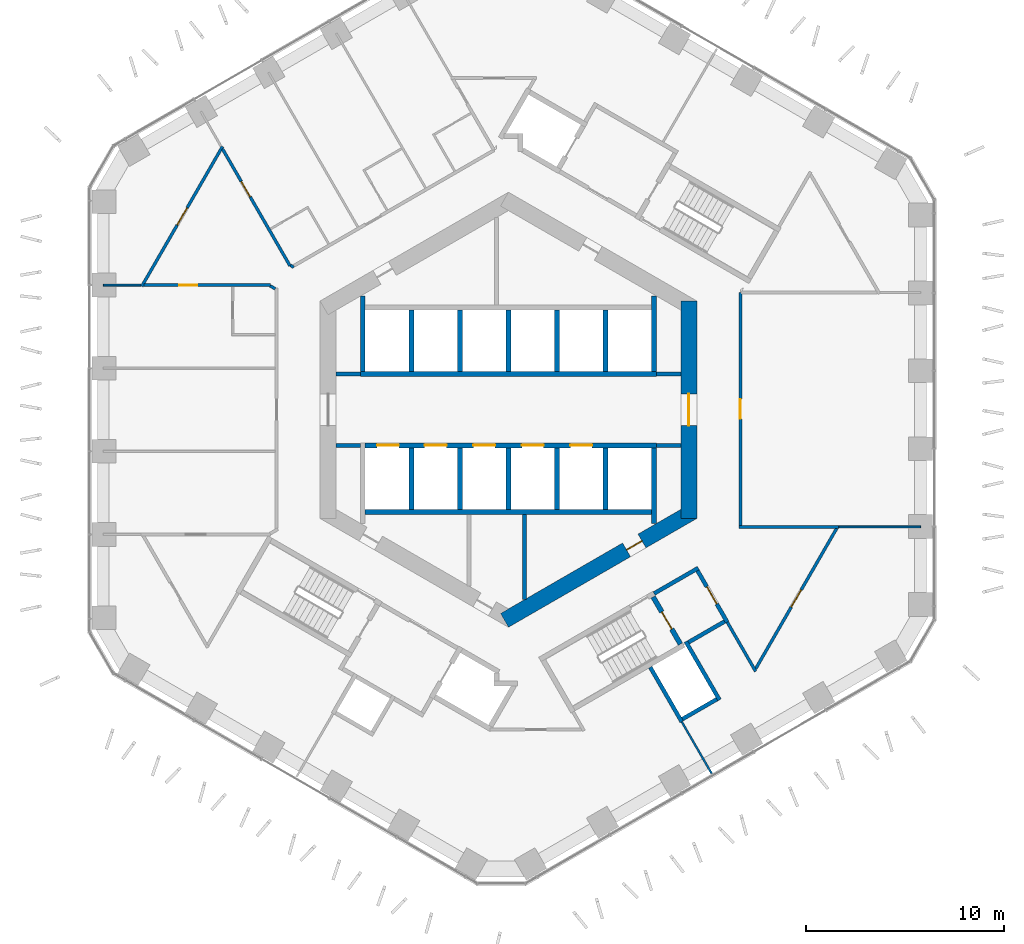
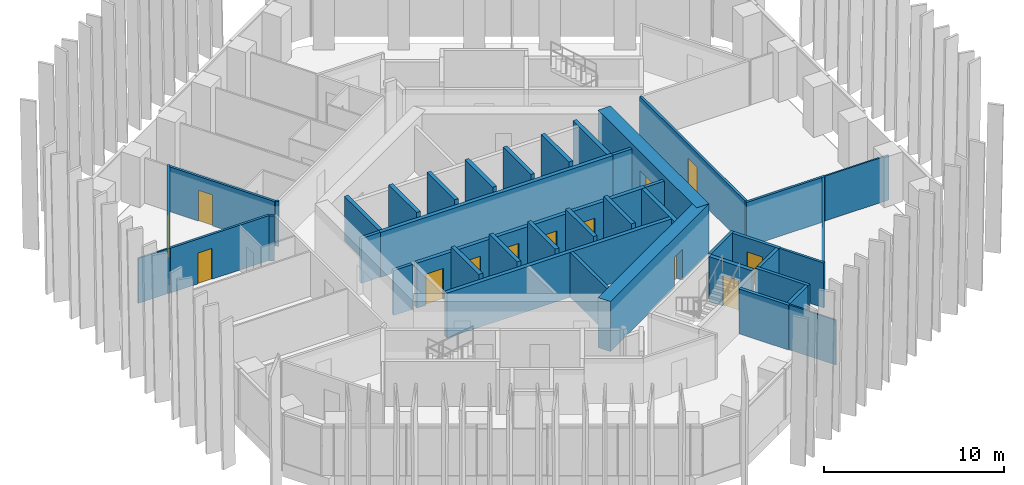
# One storey, part 14 of 19: 42 walls, 14 doors, 14 openings.
"""IFC4 building model written with IfcOpenShell, lengths in metres."""

from ifc_helpers import new_model, si_unit, direction, frame, frame_2d, origin, place, context, subcontext, project, spatial, rectangle, extrude, material, layer, layer_set, type_object, element, fill, save


model = new_model("IFC4")

# Units and contexts
model_context = context("Model", 3, precision=1e-05, world=origin(), true_north=direction((0.0, 1.0)))
body_context = subcontext(model_context, "Body", "Model", "MODEL_VIEW")
ifc_project = project(units=[si_unit("LENGTHUNIT", "METRE"), si_unit("AREAUNIT", "SQUARE_METRE"), si_unit("VOLUMEUNIT", "CUBIC_METRE"), si_unit("PLANEANGLEUNIT", "RADIAN"), si_unit("MASSUNIT", "GRAM", prefix="KILO")], contexts=[model_context])

# Site, building, storey
site_placement = place(None, origin())
site = spatial("IfcSite", under=ifc_project, at=site_placement, CompositionType="ELEMENT")
building_placement = place(site_placement, origin())
building = spatial("IfcBuilding", under=site, at=building_placement, Name="Ayvan Gate Tower", CompositionType="ELEMENT")
storey_placement = place(building_placement, frame((0.0, 0.0, 45.89990234375)))
storey = spatial("IfcBuildingStorey", under=building, at=storey_placement, Name="L11", CompositionType="ELEMENT", Elevation=45.89990234375)

# Wall, opening, door
ifc_material_1 = material(Name="Concrete C70/85", Category="concrete")
ifc_layer_1 = layer(ifc_material_1, 0.800048828125)
ifc_layer_set_1 = layer_set([ifc_layer_1], Name="Concrete C70/85")
wall_type_1 = type_object("IfcWallType", Name="Core wall 800 C70/85", PredefinedType="SHEAR", material=ifc_layer_set_1)
wall_1_placement = place(storey_placement, frame((9.10009765625, -5.48486328125, 0.0), z_axis=(0.0, 0.0, 1.0), x_axis=(0.0, 1.0, 0.0)))
wall_1 = element("IfcWall", 1, at=wall_1_placement, inside=storey, type_object=wall_type_1, Name="CORE-L11-0", PredefinedType="SHEAR", context=body_context, shape_type="SweptSolid", body=[
    extrude(rectangle(XDim=10.9697265625, YDim=0.800048828125, at=frame_2d((5.48486328125, 0.0))), origin(), (0.0, 0.0, 1.0), 3.400146484375),
])
opening_1_placement = place(wall_1_placement, frame((4.684814453125, 0.0, 0.0)))
opening_1 = element("IfcOpeningElement", 2, at=opening_1_placement, cuts=wall_1, Name="Opening L11-D39", PredefinedType="OPENING", context=body_context, shape_type="SweptSolid", body=[
    extrude(rectangle(XDim=1.60009765625, YDim=2.10009765625, at=frame_2d((0.800048828125, 1.050048828125))), frame((0.0, 0.409912109375, 0.0), z_axis=(0.0, -1.0, 0.0), x_axis=(1.0, 0.0, 0.0)), (0.0, 0.0, 1.0), 0.820068359375),
])
ifc_material_2 = material(Name="Timber door leaf", Category="wood")
door_type_1 = type_object("IfcDoorType", Name="DT-1600", OperationType="NOTDEFINED", PredefinedType="DOOR", material=ifc_material_2)
door_1_placement = place(opening_1_placement, origin())
door_1 = element("IfcDoor", 3, at=door_1_placement, inside=storey, type_object=door_type_1, Name="CD-L11-39", OperationType="SINGLE_SWING_RIGHT", OverallHeight=2.10009765625, OverallWidth=1.60009765625, PredefinedType="DOOR", context=body_context, shape_type="SweptSolid", body=[
    extrude(rectangle(XDim=1.60009765625, YDim=2.10009765625, at=frame_2d((0.800048828125, 1.050048828125))), frame((0.0, 0.02490234375, 0.0), z_axis=(0.0, -1.0, 0.0), x_axis=(1.0, 0.0, 0.0)), (0.0, 0.0, 1.0), 0.050048828125),
])
fill(opening_1, door_1)

wall_2_placement = place(storey_placement, frame((-0.199951171875, -10.623291015625, 0.0), z_axis=(0.0, 0.0, 1.0), x_axis=(0.866023993627, 0.500002442456, 0.0)))
wall_2 = element("IfcWall", 4, at=wall_2_placement, inside=storey, type_object=wall_type_1, Name="CORE-L11-5", PredefinedType="SHEAR", context=body_context, shape_type="SweptSolid", body=[
    extrude(rectangle(XDim=10.9697265625, YDim=0.800048828125, at=frame_2d((5.48486328125, 0.0))), origin(), (0.0, 0.0, 1.0), 3.400146484375),
])
opening_2_placement = place(wall_2_placement, frame((7.108154296875, 0.0, 0.0)))
opening_2 = element("IfcOpeningElement", 5, at=opening_2_placement, cuts=wall_2, Name="Opening L11-D38", PredefinedType="OPENING", context=body_context, shape_type="SweptSolid", body=[
    extrude(rectangle(XDim=0.89990234375, YDim=2.10009765625, at=frame_2d((0.449951171875, 1.050048828125))), frame((0.0, 0.409912109375, 0.0), z_axis=(0.0, -1.0, 0.0), x_axis=(1.0, 0.0, 0.0)), (0.0, 0.0, 1.0), 0.820068359375),
])
door_type_2 = type_object("IfcDoorType", Name="DT-900", OperationType="NOTDEFINED", PredefinedType="DOOR", material=ifc_material_2)
door_2_placement = place(opening_2_placement, origin())
door_2 = element("IfcDoor", 6, at=door_2_placement, inside=storey, type_object=door_type_2, Name="CD-L11-38", OperationType="SINGLE_SWING_LEFT", OverallHeight=2.10009765625, OverallWidth=0.89990234375, PredefinedType="DOOR", context=body_context, shape_type="SweptSolid", body=[
    extrude(rectangle(XDim=0.89990234375, YDim=2.10009765625, at=frame_2d((0.449951171875, 1.050048828125))), frame((0.0, 0.02490234375, 0.0), z_axis=(0.0, -1.0, 0.0), x_axis=(1.0, 0.0, 0.0)), (0.0, 0.0, 1.0), 0.050048828125),
])
fill(opening_2, door_2)

ifc_material_3 = material(Name="Plasterboard on steel stud", Category="steel")
ifc_layer_2 = layer(ifc_material_3, 0.14990234375)
ifc_layer_set_2 = layer_set([ifc_layer_2], Name="Plasterboard on steel stud")
wall_type_2 = type_object("IfcWallType", Name="WT-CORR-150", PredefinedType="PARTITIONING", material=ifc_layer_set_2)
wall_3_placement = place(storey_placement, frame((-18.4990234375, 6.21923828125, 0.0), z_axis=(0.0, 0.0, 1.0), x_axis=(0.499990257196, 0.866031028722, 0.0)))
wall_3 = element("IfcWall", 7, at=wall_3_placement, inside=storey, type_object=wall_type_2, Name="IW-L11-002", PredefinedType="PARTITIONING", context=body_context, shape_type="SweptSolid", body=[
    extrude(rectangle(XDim=8.154541015625, YDim=0.14990234375, at=frame_2d((4.0771484375, 0.0))), origin(), (0.0, 0.0, 1.0), 3.050048828125),
])
opening_3_placement = place(wall_3_placement, frame((3.577392578125, 0.0, 0.0)))
opening_3 = element("IfcOpeningElement", 8, at=opening_3_placement, cuts=wall_3, Name="Opening L11-D20", PredefinedType="OPENING", context=body_context, shape_type="SweptSolid", body=[
    extrude(rectangle(XDim=1.0, YDim=2.10009765625, at=frame_2d((0.5, 1.050048828125))), frame((0.0, 0.0849609375, 0.0), z_axis=(0.0, -1.0, 0.0), x_axis=(1.0, 0.0, 0.0)), (0.0, 0.0, 1.0), 0.169921875),
])
door_type_3 = type_object("IfcDoorType", Name="DT-1000", OperationType="NOTDEFINED", PredefinedType="DOOR", material=ifc_material_2)
door_3_placement = place(opening_3_placement, origin())
door_3 = element("IfcDoor", 9, at=door_3_placement, inside=storey, type_object=door_type_3, Name="ID-L11-020", OperationType="SINGLE_SWING_LEFT", OverallHeight=2.10009765625, OverallWidth=1.0, PredefinedType="DOOR", context=body_context, shape_type="SweptSolid", body=[
    extrude(rectangle(XDim=1.0, YDim=2.10009765625, at=frame_2d((0.5, 1.050048828125))), frame((0.0, 0.02490234375, 0.0), z_axis=(0.0, -1.0, 0.0), x_axis=(1.0, 0.0, 0.0)), (0.0, 0.0, 1.0), 0.050048828125),
])
fill(opening_3, door_3)

wall_4_placement = place(storey_placement, frame((-14.421875, 13.1513671875, 0.0), z_axis=(0.0, 0.0, 1.0), x_axis=(0.499974240439, -0.866040275563, 0.0)))
wall_4 = element("IfcWall", 10, at=wall_4_placement, inside=storey, type_object=wall_type_2, Name="IW-L11-006", PredefinedType="PARTITIONING", context=body_context, shape_type="SweptSolid", body=[
    extrude(rectangle(XDim=6.798583984375, YDim=0.14990234375, at=frame_2d((3.3994140625, 0.0))), origin(), (0.0, 0.0, 1.0), 3.050048828125),
])
opening_4_placement = place(wall_4_placement, frame((1.885009765625, 0.0, 0.0)))
opening_4 = element("IfcOpeningElement", 11, at=opening_4_placement, cuts=wall_4, Name="Opening L11-D32", PredefinedType="OPENING", context=body_context, shape_type="SweptSolid", body=[
    extrude(rectangle(XDim=0.89990234375, YDim=2.10009765625, at=frame_2d((0.449951171875, 1.050048828125))), frame((0.0, 0.0849609375, 0.0), z_axis=(0.0, -1.0, 0.0), x_axis=(1.0, 0.0, 0.0)), (0.0, 0.0, 1.0), 0.169921875),
])
door_4_placement = place(opening_4_placement, origin())
door_4 = element("IfcDoor", 12, at=door_4_placement, inside=storey, type_object=door_type_2, Name="ID-L11-032", OperationType="SINGLE_SWING_LEFT", OverallHeight=2.10009765625, OverallWidth=0.89990234375, PredefinedType="DOOR", context=body_context, shape_type="SweptSolid", body=[
    extrude(rectangle(XDim=0.89990234375, YDim=2.10009765625, at=frame_2d((0.449951171875, 1.050048828125))), frame((0.0, 0.02490234375, 0.0), z_axis=(0.0, -1.0, 0.0), x_axis=(1.0, 0.0, 0.0)), (0.0, 0.0, 1.0), 0.050048828125),
])
fill(opening_4, door_4)

wall_5_placement = place(storey_placement, frame((-18.38671875, 6.2841796875, 0.0), z_axis=(0.0, 0.0, 1.0), x_axis=(1.0, 0.0, 0.0)))
wall_5 = element("IfcWall", 13, at=wall_5_placement, inside=storey, type_object=wall_type_2, Name="IW-L11-009", PredefinedType="PARTITIONING", context=body_context, shape_type="SweptSolid", body=[
    extrude(rectangle(XDim=6.377197265625, YDim=0.14990234375, at=frame_2d((3.1884765625, 0.0))), origin(), (0.0, 0.0, 1.0), 3.050048828125),
])
opening_5_placement = place(wall_5_placement, frame((1.7783203125, 0.0, 0.0)))
opening_5 = element("IfcOpeningElement", 14, at=opening_5_placement, cuts=wall_5, Name="Opening L11-D21", PredefinedType="OPENING", context=body_context, shape_type="SweptSolid", body=[
    extrude(rectangle(XDim=0.89990234375, YDim=2.10009765625, at=frame_2d((0.449951171875, 1.050048828125))), frame((0.0, 0.0849609375, 0.0), z_axis=(0.0, -1.0, 0.0), x_axis=(1.0, 0.0, 0.0)), (0.0, 0.0, 1.0), 0.169921875),
])
door_5_placement = place(opening_5_placement, origin())
door_5 = element("IfcDoor", 15, at=door_5_placement, inside=storey, type_object=door_type_2, Name="ID-L11-021", OperationType="SINGLE_SWING_RIGHT", OverallHeight=2.10009765625, OverallWidth=0.89990234375, PredefinedType="DOOR", context=body_context, shape_type="SweptSolid", body=[
    extrude(rectangle(XDim=0.89990234375, YDim=2.10009765625, at=frame_2d((0.449951171875, 1.050048828125))), frame((0.0, 0.02490234375, 0.0), z_axis=(0.0, -1.0, 0.0), x_axis=(1.0, 0.0, 0.0)), (0.0, 0.0, 1.0), 0.050048828125),
])
fill(opening_5, door_5)

# Walls
wall_6_placement = place(storey_placement, frame((-11.764892578125, 6.099609375, 0.0), z_axis=(0.0, 0.0, 1.0), x_axis=(-0.866088799389, 0.499890179513, 0.0)))
element("IfcWall", 16, at=wall_6_placement, inside=storey, type_object=wall_type_2, Name="IW-L11-017", PredefinedType="PARTITIONING", context=body_context, shape_type="SweptSolid", body=[
    extrude(rectangle(XDim=0.2939453125, YDim=0.14990234375, at=frame_2d((0.14697265625, 0.0))), origin(), (0.0, 0.0, 1.0), 3.050048828125),
])
wall_7_placement = place(storey_placement, frame((-10.997314453125, 7.287353515625, 0.0), z_axis=(0.0, 0.0, 1.0), x_axis=(0.836578135118, -0.547847628307, 0.0)))
element("IfcWall", 17, at=wall_7_placement, inside=storey, type_object=wall_type_2, Name="IW-L11-018", PredefinedType="PARTITIONING", context=body_context, shape_type="SweptSolid", body=[
    extrude(rectangle(XDim=0.19775390625, YDim=0.14990234375, at=frame_2d((0.098876953125, 0.0))), origin(), (0.0, 0.0, 1.0), 3.050048828125),
])
wall_8_placement = place(storey_placement, frame((11.625, -5.9140625, 0.0), z_axis=(0.0, 0.0, 1.0), x_axis=(1.0, 0.0, 0.0)))
element("IfcWall", 18, at=wall_8_placement, inside=storey, type_object=wall_type_2, Name="IW-L11-103", PredefinedType="PARTITIONING", context=body_context, shape_type="SweptSolid", body=[
    extrude(rectangle(XDim=5.046875, YDim=0.14990234375, at=frame_2d((2.5234375, 0.0))), origin(), (0.0, 0.0, 1.0), 3.050048828125),
])

# Wall, opening, door
wall_9_placement = place(storey_placement, frame((11.699951171875, 5.914306640625, 0.0), z_axis=(0.0, 0.0, 1.0), x_axis=(0.0, -1.0, 0.0)))
wall_9 = element("IfcWall", 19, at=wall_9_placement, inside=storey, type_object=wall_type_2, Name="IW-L11-104", PredefinedType="PARTITIONING", context=body_context, shape_type="SweptSolid", body=[
    extrude(rectangle(XDim=11.75341796875, YDim=0.14990234375, at=frame_2d((5.876708984375, 0.0))), origin(), (0.0, 0.0, 1.0), 3.050048828125),
])
opening_6_placement = place(wall_9_placement, frame((5.376708984375, 0.0, 0.0)))
opening_6 = element("IfcOpeningElement", 20, at=opening_6_placement, cuts=wall_9, Name="Opening L11-D17", PredefinedType="OPENING", context=body_context, shape_type="SweptSolid", body=[
    extrude(rectangle(XDim=1.0, YDim=2.10009765625, at=frame_2d((0.5, 1.050048828125))), frame((0.0, 0.0849609375, 0.0), z_axis=(0.0, -1.0, 0.0), x_axis=(1.0, 0.0, 0.0)), (0.0, 0.0, 1.0), 0.169921875),
])
door_6_placement = place(opening_6_placement, origin())
door_6 = element("IfcDoor", 21, at=door_6_placement, inside=storey, type_object=door_type_3, Name="ID-L11-017", OperationType="SINGLE_SWING_RIGHT", OverallHeight=2.10009765625, OverallWidth=1.0, PredefinedType="DOOR", context=body_context, shape_type="SweptSolid", body=[
    extrude(rectangle(XDim=1.0, YDim=2.10009765625, at=frame_2d((0.5, 1.050048828125))), frame((0.0, 0.02490234375, 0.0), z_axis=(0.0, -1.0, 0.0), x_axis=(1.0, 0.0, 0.0)), (0.0, 0.0, 1.0), 0.050048828125),
])
fill(opening_6, door_6)

# Wall
wall_10_placement = place(storey_placement, frame((12.468017578125, -13.1953125, 0.0), z_axis=(0.0, 0.0, 1.0), x_axis=(-0.499956322556, 0.8660506195, 0.0)))
element("IfcWall", 22, at=wall_10_placement, inside=storey, type_object=wall_type_2, Name="IW-L11-106", PredefinedType="PARTITIONING", context=body_context, shape_type="SweptSolid", body=[
    extrude(rectangle(XDim=2.861572265625, YDim=0.14990234375, at=frame_2d((1.4306640625, 0.0))), origin(), (0.0, 0.0, 1.0), 3.050048828125),
])

# Wall, opening, door
wall_11_placement = place(storey_placement, frame((16.559326171875, -5.97900390625, 0.0), z_axis=(0.0, 0.0, 1.0), x_axis=(-0.499996220184, -0.866027586051, 0.0)))
wall_11 = element("IfcWall", 23, at=wall_11_placement, inside=storey, type_object=wall_type_2, Name="IW-L11-110", PredefinedType="PARTITIONING", context=body_context, shape_type="SweptSolid", body=[
    extrude(rectangle(XDim=8.1826171875, YDim=0.14990234375, at=frame_2d((4.09130859375, 0.0))), origin(), (0.0, 0.0, 1.0), 3.050048828125),
])
opening_7_placement = place(wall_11_placement, frame((3.59130859375, 0.0, 0.0)))
opening_7 = element("IfcOpeningElement", 24, at=opening_7_placement, cuts=wall_11, Name="Opening L11-D27", PredefinedType="OPENING", context=body_context, shape_type="SweptSolid", body=[
    extrude(rectangle(XDim=1.0, YDim=2.10009765625, at=frame_2d((0.5, 1.050048828125))), frame((0.0, 0.0849609375, 0.0), z_axis=(0.0, -1.0, 0.0), x_axis=(1.0, 0.0, 0.0)), (0.0, 0.0, 1.0), 0.169921875),
])
door_7_placement = place(opening_7_placement, origin())
door_7 = element("IfcDoor", 25, at=door_7_placement, inside=storey, type_object=door_type_3, Name="ID-L11-027", OperationType="SINGLE_SWING_RIGHT", OverallHeight=2.10009765625, OverallWidth=1.0, PredefinedType="DOOR", context=body_context, shape_type="SweptSolid", body=[
    extrude(rectangle(XDim=1.0, YDim=2.10009765625, at=frame_2d((0.5, 1.050048828125))), frame((0.0, 0.02490234375, 0.0), z_axis=(0.0, -1.0, 0.0), x_axis=(1.0, 0.0, 0.0)), (0.0, 0.0, 1.0), 0.050048828125),
])
fill(opening_7, door_7)

# Walls
ifc_layer_3 = layer(ifc_material_3, 0.10009765625)
ifc_layer_set_3 = layer_set([ifc_layer_3], Name="Plasterboard on steel stud")
wall_type_3 = type_object("IfcWallType", Name="WT-PART-100", PredefinedType="PARTITIONING", material=ifc_layer_set_3)
wall_12_placement = place(storey_placement, frame((-18.53662109375, 6.2841796875, 0.0), z_axis=(0.0, 0.0, 1.0), x_axis=(-1.0, 0.0, 0.0)))
element("IfcWall", 26, at=wall_12_placement, inside=storey, type_object=wall_type_3, Name="IW-L11-001", PredefinedType="PARTITIONING", context=body_context, shape_type="SweptSolid", body=[
    extrude(rectangle(XDim=1.891845703125, YDim=0.10009765625, at=frame_2d((0.94580078125, 0.0))), origin(), (0.0, 0.0, 1.0), 3.050048828125),
])
wall_13_placement = place(storey_placement, frame((8.739990234375, -15.73828125, 0.0), z_axis=(0.0, 0.0, 1.0), x_axis=(0.500001913541, -0.866024298998, 0.0)))
element("IfcWall", 27, at=wall_13_placement, inside=storey, type_object=wall_type_3, Name="IW-L11-095", PredefinedType="PARTITIONING", context=body_context, shape_type="SweptSolid", body=[
    extrude(rectangle(XDim=3.02490234375, YDim=0.10009765625, at=frame_2d((1.512451171875, 0.0))), origin(), (0.0, 0.0, 1.0), 3.050048828125),
])
wall_14_placement = place(storey_placement, frame((20.78466796875, -5.9140625, 0.0), z_axis=(0.0, 0.0, 1.0), x_axis=(-1.0, 0.0, 0.0)))
element("IfcWall", 28, at=wall_14_placement, inside=storey, type_object=wall_type_3, Name="IW-L11-113", PredefinedType="PARTITIONING", context=body_context, shape_type="SweptSolid", body=[
    extrude(rectangle(XDim=4.113037109375, YDim=0.10009765625, at=frame_2d((2.056640625, 0.0))), origin(), (0.0, 0.0, 1.0), 3.050048828125),
])
ifc_layer_4 = layer(ifc_material_3, 0.199951171875)
ifc_layer_set_4 = layer_set([ifc_layer_4], Name="Plasterboard on steel stud")
wall_type_4 = type_object("IfcWallType", Name="WT-PLUMB-200", PredefinedType="PLUMBINGWALL", material=ifc_layer_set_4)
wall_15_placement = place(storey_placement, frame((8.740234375, -15.738525390625, 0.0), z_axis=(0.0, 0.0, 1.0), x_axis=(-0.500017526161, 0.866015284814, 0.0)))
element("IfcWall", 29, at=wall_15_placement, inside=storey, type_object=wall_type_4, Name="IW-L11-096", PredefinedType="PLUMBINGWALL", context=body_context, shape_type="SweptSolid", body=[
    extrude(rectangle(XDim=3.17529296875, YDim=0.199951171875, at=frame_2d((1.587646484375, 0.0))), origin(), (0.0, 0.0, 1.0), 3.050048828125),
])
wall_16_placement = place(storey_placement, frame((8.9453125, -11.694091796875, 0.0), z_axis=(0.0, 0.0, 1.0), x_axis=(0.500062241894, -0.865989465428, 0.0)))
element("IfcWall", 30, at=wall_16_placement, inside=storey, type_object=wall_type_4, Name="IW-L11-098", PredefinedType="PLUMBINGWALL", context=body_context, shape_type="SweptSolid", body=[
    extrude(rectangle(XDim=3.39990234375, YDim=0.199951171875, at=frame_2d((1.699951171875, 0.0))), origin(), (0.0, 0.0, 1.0), 3.050048828125),
])
wall_17_placement = place(storey_placement, frame((10.5087890625, -14.601806640625, 0.0), z_axis=(0.0, 0.0, 1.0), x_axis=(-0.866010750942, -0.50002537861, 0.0)))
element("IfcWall", 31, at=wall_17_placement, inside=storey, type_object=wall_type_4, Name="IW-L11-101", PredefinedType="PLUMBINGWALL", context=body_context, shape_type="SweptSolid", body=[
    extrude(rectangle(XDim=2.0, YDim=0.199951171875, at=frame_2d((1.0, 0.0))), origin(), (0.0, 0.0, 1.0), 3.050048828125),
])
ifc_layer_5 = layer(ifc_material_3, 0.199951171875)
ifc_layer_set_5 = layer_set([ifc_layer_5], Name="Plasterboard on steel stud")
wall_type_5 = type_object("IfcWallType", Name="WT-RATED-200", PredefinedType="PARTITIONING", material=ifc_layer_set_5)
for number, where, z_axis, x_axis, name in (
    (32, (-8.699951171875, 1.800048828125, 0.0), (0.0, 0.0, 1.0), (1.0, 0.0, 0.0), "IW-L11-024"),
    (33, (-7.474853515625, -1.800048828125, 0.0), (0.0, 0.0, 1.0), (-1.0, 0.0, 0.0), "IW-L11-033"),
):
    element("IfcWall", number, at=place(storey_placement, frame(where, z_axis=z_axis, x_axis=x_axis)), inside=storey, type_object=wall_type_5, Name=name, PredefinedType="PARTITIONING", context=body_context, shape_type="SweptSolid", body=[
        extrude(rectangle(XDim=1.22509765625, YDim=0.199951171875, at=frame_2d((0.612548828125, 0.0))), origin(), (0.0, 0.0, 1.0), 3.050048828125),
    ])
wall_18_placement = place(storey_placement, frame((0.800048828125, -5.27490234375, 0.0), z_axis=(0.0, 0.0, 1.0), x_axis=(0.0, -1.0, 0.0)))
element("IfcWall", 34, at=wall_18_placement, inside=storey, type_object=wall_type_5, Name="IW-L11-069", PredefinedType="PARTITIONING", context=body_context, shape_type="SweptSolid", body=[
    extrude(rectangle(XDim=4.30908203125, YDim=0.199951171875, at=frame_2d((2.154541015625, 0.0))), origin(), (0.0, 0.0, 1.0), 3.050048828125),
])
wall_19_placement = place(storey_placement, frame((7.343994140625, -9.27001953125, 0.0), z_axis=(0.0, 0.0, 1.0), x_axis=(0.866005588531, 0.500034319456, 0.0)))
element("IfcWall", 35, at=wall_19_placement, inside=storey, type_object=wall_type_5, Name="IW-L11-088", PredefinedType="PARTITIONING", context=body_context, shape_type="SweptSolid", body=[
    extrude(rectangle(XDim=2.574951171875, YDim=0.199951171875, at=frame_2d((1.28759765625, 0.0))), origin(), (0.0, 0.0, 1.0), 3.050048828125),
])
for number, where, z_axis, x_axis, name in (
    (36, (7.474853515625, 1.800048828125, 0.0), (0.0, 0.0, 1.0), (1.0, 0.0, 0.0), "IW-L11-089"),
    (37, (8.699951171875, -1.800048828125, 0.0), (0.0, 0.0, 1.0), (-1.0, 0.0, 0.0), "IW-L11-097"),
):
    element("IfcWall", number, at=place(storey_placement, frame(where, z_axis=z_axis, x_axis=x_axis)), inside=storey, type_object=wall_type_5, Name=name, PredefinedType="PARTITIONING", context=body_context, shape_type="SweptSolid", body=[
        extrude(rectangle(XDim=1.22509765625, YDim=0.199951171875, at=frame_2d((0.612548828125, 0.0))), origin(), (0.0, 0.0, 1.0), 3.050048828125),
    ])

# Wall, opening, door
wall_20_placement = place(storey_placement, frame((9.537353515625, -8.119140625, 0.0), z_axis=(0.0, 0.0, 1.0), x_axis=(0.499990139034, -0.866031096941, 0.0)))
wall_20 = element("IfcWall", 38, at=wall_20_placement, inside=storey, type_object=wall_type_5, Name="IW-L11-100", PredefinedType="PARTITIONING", context=body_context, shape_type="SweptSolid", body=[
    extrude(rectangle(XDim=3.0, YDim=0.199951171875, at=frame_2d((1.5, 0.0))), origin(), (0.0, 0.0, 1.0), 3.050048828125),
])
opening_8_placement = place(wall_20_placement, frame((0.93505859375, 0.0, 0.0)))
opening_8 = element("IfcOpeningElement", 39, at=opening_8_placement, cuts=wall_20, Name="Opening L11-D15", PredefinedType="OPENING", context=body_context, shape_type="SweptSolid", body=[
    extrude(rectangle(XDim=1.0, YDim=2.10009765625, at=frame_2d((0.5, 1.050048828125))), frame((0.0, 0.10986328125, 0.0), z_axis=(0.0, -1.0, 0.0), x_axis=(1.0, 0.0, 0.0)), (0.0, 0.0, 1.0), 0.219970703125),
])
door_8_placement = place(opening_8_placement, origin())
door_8 = element("IfcDoor", 40, at=door_8_placement, inside=storey, type_object=door_type_3, Name="ID-L11-015", OperationType="SINGLE_SWING_RIGHT", OverallHeight=2.10009765625, OverallWidth=1.0, PredefinedType="DOOR", context=body_context, shape_type="SweptSolid", body=[
    extrude(rectangle(XDim=1.0, YDim=2.10009765625, at=frame_2d((0.5, 1.050048828125))), frame((0.0, 0.02490234375, 0.0), z_axis=(0.0, -1.0, 0.0), x_axis=(1.0, 0.0, 0.0)), (0.0, 0.0, 1.0), 0.050048828125),
])
fill(opening_8, door_8)

# Walls
wall_21_placement = place(storey_placement, frame((10.900634765625, -10.6806640625, 0.0), z_axis=(0.0, 0.0, 1.0), x_axis=(-0.866009402589, -0.500027713859, 0.0)))
element("IfcWall", 41, at=wall_21_placement, inside=storey, type_object=wall_type_5, Name="IW-L11-102", PredefinedType="PARTITIONING", context=body_context, shape_type="SweptSolid", body=[
    extrude(rectangle(XDim=2.10009765625, YDim=0.199951171875, at=frame_2d((1.050048828125, 0.0))), origin(), (0.0, 0.0, 1.0), 3.050048828125),
])
ifc_material_4 = material(Name="Concrete C50/60", Category="concrete")
ifc_layer_6 = layer(ifc_material_4, 0.25)
ifc_layer_set_6 = layer_set([ifc_layer_6], Name="Concrete C50/60")
wall_type_6 = type_object("IfcWallType", Name="WT-RC-250", PredefinedType="SHEAR", material=ifc_layer_set_6)
wall_22_placement = place(storey_placement, frame((-7.47509765625, 1.800048828125, 0.0), z_axis=(0.0, 0.0, 1.0), x_axis=(1.0, 0.0, 0.0)))
element("IfcWall", 42, at=wall_22_placement, inside=storey, type_object=wall_type_6, Name="IW-L11-029", PredefinedType="SHEAR", context=body_context, shape_type="SweptSolid", body=[
    extrude(rectangle(XDim=14.9501953125, YDim=0.25, at=frame_2d((7.47509765625, 0.0))), origin(), (0.0, 0.0, 1.0), 3.050048828125),
])
wall_23_placement = place(storey_placement, frame((-7.35009765625, 1.925048828125, 0.0), z_axis=(0.0, 0.0, 1.0), x_axis=(0.0, 1.0, 0.0)))
element("IfcWall", 43, at=wall_23_placement, inside=storey, type_object=wall_type_6, Name="IW-L11-031", PredefinedType="SHEAR", context=body_context, shape_type="SweptSolid", body=[
    extrude(rectangle(XDim=3.80517578125, YDim=0.25, at=frame_2d((1.902587890625, 0.0))), origin(), (0.0, 0.0, 1.0), 3.050048828125),
])
wall_24_placement = place(storey_placement, frame((-7.22509765625, -5.14990234375, 0.0), z_axis=(0.0, 0.0, 1.0), x_axis=(1.0, 0.0, 0.0)))
element("IfcWall", 44, at=wall_24_placement, inside=storey, type_object=wall_type_6, Name="IW-L11-042", PredefinedType="SHEAR", context=body_context, shape_type="SweptSolid", body=[
    extrude(rectangle(XDim=14.7001953125, YDim=0.25, at=frame_2d((7.35009765625, 0.0))), origin(), (0.0, 0.0, 1.0), 3.050048828125),
])
for number, where, z_axis, x_axis, name in (
    (45, (-4.89990234375, -1.925048828125, 0.0), (0.0, 0.0, 1.0), (0.0, -1.0, 0.0), "IW-L11-043"),
    (46, (-4.89990234375, 5.02490234375, 0.0), (0.0, 0.0, 1.0), (0.0, -1.0, 0.0), "IW-L11-044"),
):
    element("IfcWall", number, at=place(storey_placement, frame(where, z_axis=z_axis, x_axis=x_axis)), inside=storey, type_object=wall_type_6, Name=name, PredefinedType="SHEAR", context=body_context, shape_type="SweptSolid", body=[
        extrude(rectangle(XDim=3.099853515625, YDim=0.25, at=frame_2d((1.5498046875, 0.0))), origin(), (0.0, 0.0, 1.0), 3.400146484375),
    ])

# Wall, openings, doors
wall_25_placement = place(storey_placement, frame((-7.22509765625, -1.800048828125, 0.0), z_axis=(0.0, 0.0, 1.0), x_axis=(1.0, 0.0, 0.0)))
wall_25 = element("IfcWall", 47, at=wall_25_placement, inside=storey, type_object=wall_type_6, Name="IW-L11-045", PredefinedType="SHEAR", context=body_context, shape_type="SweptSolid", body=[
    extrude(rectangle(XDim=14.7001953125, YDim=0.25, at=frame_2d((7.35009765625, 0.0))), origin(), (0.0, 0.0, 1.0), 3.050048828125),
])
opening_9_placement = place(wall_25_placement, frame((0.597412109375, 0.0, 0.0)))
opening_9 = element("IfcOpeningElement", 48, at=opening_9_placement, cuts=wall_25, Name="Opening L11-LD-LR1", PredefinedType="OPENING", context=body_context, shape_type="SweptSolid", body=[
    extrude(rectangle(XDim=1.10009765625, YDim=2.10009765625, at=frame_2d((0.550048828125, 1.050048828125))), frame((0.0, 0.135009765625, 0.0), z_axis=(0.0, -1.0, 0.0), x_axis=(1.0, 0.0, 0.0)), (0.0, 0.0, 1.0), 0.27001953125),
])
opening_10_placement = place(wall_25_placement, frame((3.0, 0.0, 0.0)))
opening_10 = element("IfcOpeningElement", 49, at=opening_10_placement, cuts=wall_25, Name="Opening L11-LD-LR2", PredefinedType="OPENING", context=body_context, shape_type="SweptSolid", body=[
    extrude(rectangle(XDim=1.10009765625, YDim=2.10009765625, at=frame_2d((0.550048828125, 1.050048828125))), frame((0.0, 0.135009765625, 0.0), z_axis=(0.0, -1.0, 0.0), x_axis=(1.0, 0.0, 0.0)), (0.0, 0.0, 1.0), 0.27001953125),
])
opening_11_placement = place(wall_25_placement, frame((5.4501953125, 0.0, 0.0)))
opening_11 = element("IfcOpeningElement", 50, at=opening_11_placement, cuts=wall_25, Name="Opening L11-LD-LR3", PredefinedType="OPENING", context=body_context, shape_type="SweptSolid", body=[
    extrude(rectangle(XDim=1.10009765625, YDim=2.10009765625, at=frame_2d((0.550048828125, 1.050048828125))), frame((0.0, 0.135009765625, 0.0), z_axis=(0.0, -1.0, 0.0), x_axis=(1.0, 0.0, 0.0)), (0.0, 0.0, 1.0), 0.27001953125),
])
opening_12_placement = place(wall_25_placement, frame((7.900146484375, 0.0, 0.0)))
opening_12 = element("IfcOpeningElement", 51, at=opening_12_placement, cuts=wall_25, Name="Opening L11-LD-LR4", PredefinedType="OPENING", context=body_context, shape_type="SweptSolid", body=[
    extrude(rectangle(XDim=1.10009765625, YDim=2.10009765625, at=frame_2d((0.550048828125, 1.050048828125))), frame((0.0, 0.135009765625, 0.0), z_axis=(0.0, -1.0, 0.0), x_axis=(1.0, 0.0, 0.0)), (0.0, 0.0, 1.0), 0.27001953125),
])
opening_13_placement = place(wall_25_placement, frame((10.35009765625, 0.0, 0.0)))
opening_13 = element("IfcOpeningElement", 52, at=opening_13_placement, cuts=wall_25, Name="Opening L11-LD-SV", PredefinedType="OPENING", context=body_context, shape_type="SweptSolid", body=[
    extrude(rectangle(XDim=1.10009765625, YDim=2.10009765625, at=frame_2d((0.550048828125, 1.050048828125))), frame((0.0, 0.135009765625, 0.0), z_axis=(0.0, -1.0, 0.0), x_axis=(1.0, 0.0, 0.0)), (0.0, 0.0, 1.0), 0.27001953125),
])
ifc_material_5 = material(Name="Stainless steel landing door", Category="steel")
door_type_4 = type_object("IfcDoorType", Name="DT-LANDING-1100", OperationType="SLIDING_TO_LEFT", PredefinedType="DOOR", material=ifc_material_5)
door_9_placement = place(opening_9_placement, origin())
door_9 = element("IfcDoor", 53, at=door_9_placement, inside=storey, type_object=door_type_4, Name="ID-L11-001", OperationType="SLIDING_TO_LEFT", OverallHeight=2.10009765625, OverallWidth=1.10009765625, PredefinedType="DOOR", context=body_context, shape_type="SweptSolid", body=[
    extrude(rectangle(XDim=1.10009765625, YDim=2.10009765625, at=frame_2d((0.550048828125, 1.050048828125))), frame((0.0, 0.02490234375, 0.0), z_axis=(0.0, -1.0, 0.0), x_axis=(1.0, 0.0, 0.0)), (0.0, 0.0, 1.0), 0.050048828125),
])
fill(opening_9, door_9)
door_10_placement = place(opening_10_placement, origin())
door_10 = element("IfcDoor", 54, at=door_10_placement, inside=storey, type_object=door_type_4, Name="ID-L11-002", OperationType="SLIDING_TO_LEFT", OverallHeight=2.10009765625, OverallWidth=1.10009765625, PredefinedType="DOOR", context=body_context, shape_type="SweptSolid", body=[
    extrude(rectangle(XDim=1.10009765625, YDim=2.10009765625, at=frame_2d((0.550048828125, 1.050048828125))), frame((0.0, 0.02490234375, 0.0), z_axis=(0.0, -1.0, 0.0), x_axis=(1.0, 0.0, 0.0)), (0.0, 0.0, 1.0), 0.050048828125),
])
fill(opening_10, door_10)
door_11_placement = place(opening_11_placement, origin())
door_11 = element("IfcDoor", 55, at=door_11_placement, inside=storey, type_object=door_type_4, Name="ID-L11-003", OperationType="SLIDING_TO_LEFT", OverallHeight=2.10009765625, OverallWidth=1.10009765625, PredefinedType="DOOR", context=body_context, shape_type="SweptSolid", body=[
    extrude(rectangle(XDim=1.10009765625, YDim=2.10009765625, at=frame_2d((0.550048828125, 1.050048828125))), frame((0.0, 0.02490234375, 0.0), z_axis=(0.0, -1.0, 0.0), x_axis=(1.0, 0.0, 0.0)), (0.0, 0.0, 1.0), 0.050048828125),
])
fill(opening_11, door_11)
door_12_placement = place(opening_12_placement, origin())
door_12 = element("IfcDoor", 56, at=door_12_placement, inside=storey, type_object=door_type_4, Name="ID-L11-004", OperationType="SLIDING_TO_LEFT", OverallHeight=2.10009765625, OverallWidth=1.10009765625, PredefinedType="DOOR", context=body_context, shape_type="SweptSolid", body=[
    extrude(rectangle(XDim=1.10009765625, YDim=2.10009765625, at=frame_2d((0.550048828125, 1.050048828125))), frame((0.0, 0.02490234375, 0.0), z_axis=(0.0, -1.0, 0.0), x_axis=(1.0, 0.0, 0.0)), (0.0, 0.0, 1.0), 0.050048828125),
])
fill(opening_12, door_12)
door_13_placement = place(opening_13_placement, origin())
door_13 = element("IfcDoor", 57, at=door_13_placement, inside=storey, type_object=door_type_4, Name="ID-L11-005", OperationType="SLIDING_TO_LEFT", OverallHeight=2.10009765625, OverallWidth=1.10009765625, PredefinedType="DOOR", context=body_context, shape_type="SweptSolid", body=[
    extrude(rectangle(XDim=1.10009765625, YDim=2.10009765625, at=frame_2d((0.550048828125, 1.050048828125))), frame((0.0, 0.02490234375, 0.0), z_axis=(0.0, -1.0, 0.0), x_axis=(1.0, 0.0, 0.0)), (0.0, 0.0, 1.0), 0.050048828125),
])
fill(opening_13, door_13)

# Walls
for number, where, z_axis, x_axis, name in (
    (58, (-2.449951171875, -1.925048828125, 0.0), (0.0, 0.0, 1.0), (0.0, -1.0, 0.0), "IW-L11-053"),
    (59, (-2.449951171875, 5.02490234375, 0.0), (0.0, 0.0, 1.0), (0.0, -1.0, 0.0), "IW-L11-054"),
    (60, (0.0, -1.925048828125, 0.0), (0.0, 0.0, 1.0), (0.0, -1.0, 0.0), "IW-L11-064"),
    (61, (0.0, 5.02490234375, 0.0), (0.0, 0.0, 1.0), (0.0, -1.0, 0.0), "IW-L11-065"),
    (62, (2.449951171875, -1.925048828125, 0.0), (0.0, 0.0, 1.0), (0.0, -1.0, 0.0), "IW-L11-073"),
    (63, (2.449951171875, 5.02490234375, 0.0), (0.0, 0.0, 1.0), (0.0, -1.0, 0.0), "IW-L11-074"),
    (64, (4.89990234375, -1.925048828125, 0.0), (0.0, 0.0, 1.0), (0.0, -1.0, 0.0), "IW-L11-082"),
    (65, (4.89990234375, 5.02490234375, 0.0), (0.0, 0.0, 1.0), (0.0, -1.0, 0.0), "IW-L11-083"),
):
    element("IfcWall", number, at=place(storey_placement, frame(where, z_axis=z_axis, x_axis=x_axis)), inside=storey, type_object=wall_type_6, Name=name, PredefinedType="SHEAR", context=body_context, shape_type="SweptSolid", body=[
        extrude(rectangle(XDim=3.099853515625, YDim=0.25, at=frame_2d((1.5498046875, 0.0))), origin(), (0.0, 0.0, 1.0), 3.400146484375),
    ])

# Wall, opening, door
wall_26_placement = place(storey_placement, frame((7.298095703125, -9.44091796875, 0.0), z_axis=(0.0, 0.0, 1.0), x_axis=(0.500034990121, -0.866005201286, 0.0)))
wall_26 = element("IfcWall", 66, at=wall_26_placement, inside=storey, type_object=wall_type_6, Name="IW-L11-087", PredefinedType="SHEAR", context=body_context, shape_type="SweptSolid", body=[
    extrude(rectangle(XDim=2.749755859375, YDim=0.25, at=frame_2d((1.375, 0.0))), origin(), (0.0, 0.0, 1.0), 3.050048828125),
])
opening_14_placement = place(wall_26_placement, frame((0.875, 0.0, 0.0)))
opening_14 = element("IfcOpeningElement", 67, at=opening_14_placement, cuts=wall_26, Name="Opening L11-D16", PredefinedType="OPENING", context=body_context, shape_type="SweptSolid", body=[
    extrude(rectangle(XDim=1.0, YDim=2.10009765625, at=frame_2d((0.5, 1.050048828125))), frame((0.0, 0.135009765625, 0.0), z_axis=(0.0, -1.0, 0.0), x_axis=(1.0, 0.0, 0.0)), (0.0, 0.0, 1.0), 0.27001953125),
])
door_14_placement = place(opening_14_placement, origin())
door_14 = element("IfcDoor", 68, at=door_14_placement, inside=storey, type_object=door_type_3, Name="ID-L11-016", OperationType="SINGLE_SWING_LEFT", OverallHeight=2.10009765625, OverallWidth=1.0, PredefinedType="DOOR", context=body_context, shape_type="SweptSolid", body=[
    extrude(rectangle(XDim=1.0, YDim=2.10009765625, at=frame_2d((0.5, 1.050048828125))), frame((0.0, 0.02490234375, 0.0), z_axis=(0.0, -1.0, 0.0), x_axis=(1.0, 0.0, 0.0)), (0.0, 0.0, 1.0), 0.050048828125),
])
fill(opening_14, door_14)

# Walls
for number, where, z_axis, x_axis, name in (
    (69, (7.35009765625, -1.925048828125, 0.0), (0.0, 0.0, 1.0), (0.0, -1.0, 0.0), "IW-L11-090"),
    (70, (7.35009765625, 5.730224609375, 0.0), (0.0, 0.0, 1.0), (0.0, -1.0, 0.0), "IW-L11-091"),
):
    element("IfcWall", number, at=place(storey_placement, frame(where, z_axis=z_axis, x_axis=x_axis)), inside=storey, type_object=wall_type_6, Name=name, PredefinedType="SHEAR", context=body_context, shape_type="SweptSolid", body=[
        extrude(rectangle(XDim=3.80517578125, YDim=0.25, at=frame_2d((1.902587890625, 0.0))), origin(), (0.0, 0.0, 1.0), 3.050048828125),
    ])

save(model, "model.ifc")
